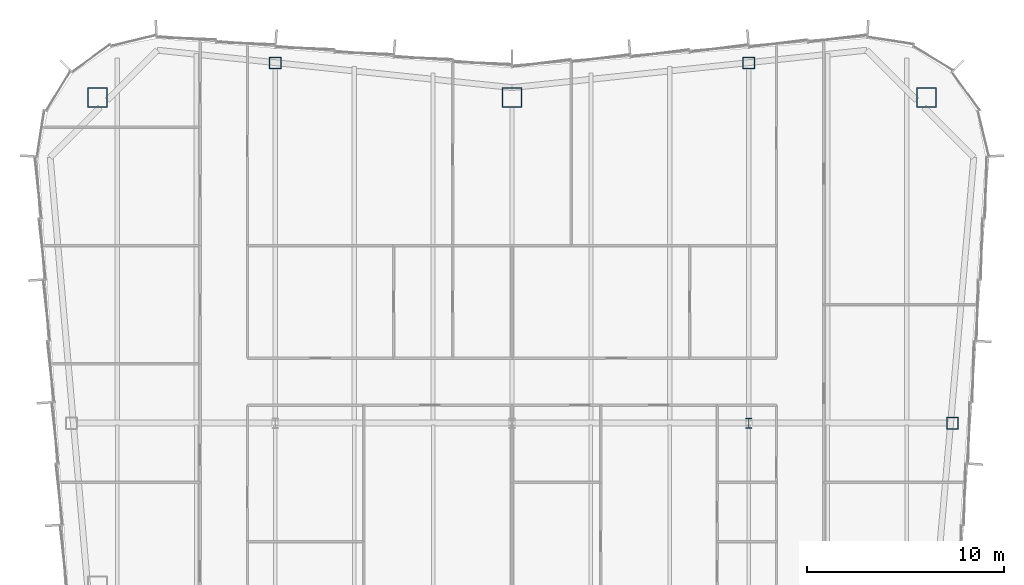
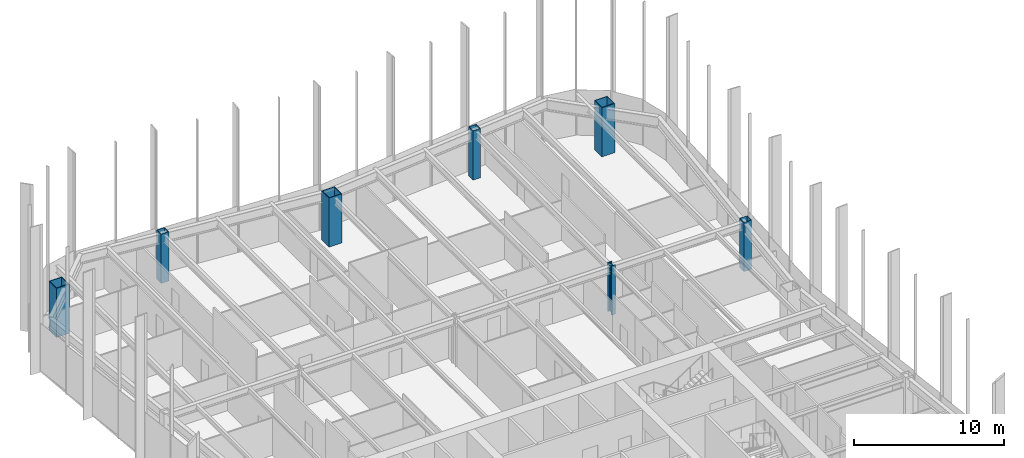
# One storey, part 2 of 15: 7 columns.
"""IFC4 building model written with IfcOpenShell, lengths in metres."""

from ifc_helpers import new_model, si_unit, direction, frame, origin, origin_2d, place, context, subcontext, project, spatial, hollow_rectangle, i_section, extrude, material, material_profile, profile_set, type_object, element, save


model = new_model("IFC4")

# Units and contexts
model_context = context("Model", 3, precision=1e-05, world=origin(), true_north=direction((0.0, 1.0)))
body_context = subcontext(model_context, "Body", "Model", "MODEL_VIEW")
ifc_project = project(units=[si_unit("LENGTHUNIT", "METRE"), si_unit("AREAUNIT", "SQUARE_METRE"), si_unit("VOLUMEUNIT", "CUBIC_METRE"), si_unit("PLANEANGLEUNIT", "RADIAN"), si_unit("MASSUNIT", "GRAM", prefix="KILO")], contexts=[model_context])

# Site, building, storey
site_placement = place(None, origin())
site = spatial("IfcSite", under=ifc_project, at=site_placement, CompositionType="ELEMENT")
building_placement = place(site_placement, origin())
building = spatial("IfcBuilding", under=site, at=building_placement, Name="Verdant Reach Tower", CompositionType="ELEMENT")
storey_placement = place(building_placement, frame((0.0, 0.0, 262.0)))
storey = spatial("IfcBuildingStorey", under=building, at=storey_placement, Name="L60", CompositionType="ELEMENT", Elevation=262.0)

# Columns
ifc_material = material(Name="Steel S460", Category="steel")
ifc_material_profile_1 = material_profile(ifc_material, i_section(OverallWidth=0.305908203125, OverallDepth=0.52392578125, WebThickness=0.012451171875, FlangeThickness=0.0400390625, FilletRadius=0.027099609375, at=origin_2d()), Name="HEM 500")
ifc_profile_set_1 = profile_set([ifc_material_profile_1], Name="Steel S460")
column_type_1 = type_object("IfcColumnType", Name="ST-COL-HEM500", PredefinedType="COLUMN", material=ifc_profile_set_1)
column_placement = place(storey_placement, frame((12.0, 49.5, 0.0), z_axis=(0.0, 0.0, 1.0), x_axis=(1.0, 0.0, 0.0)))
element("IfcColumn", 1, at=column_placement, inside=storey, type_object=column_type_1, Name="Interior column 3, L60", PredefinedType="COLUMN", context=body_context, shape_type="SweptSolid", body=[
    extrude(i_section(OverallWidth=0.305908203125, OverallDepth=0.52392578125, WebThickness=0.012451171875, FlangeThickness=0.0400390625, FilletRadius=0.027099609375, at=origin_2d()), origin(), (0.0, 0.0, 1.0), 4.0),
])
ifc_material_profile_2 = material_profile(ifc_material, hollow_rectangle(XDim=1.0, YDim=1.0, WallThickness=0.044921875, at=origin_2d()), Name="WB 1000x1000x45")
ifc_profile_set_2 = profile_set([ifc_material_profile_2], Name="Steel S460")
column_type_2 = type_object("IfcColumnType", Name="ST-COL-WB1000x1000x45", PredefinedType="COLUMN", material=ifc_profile_set_2)
for number, where, z_axis, x_axis, name in (
    (2, (-21.0, 66.0, 0.0), (0.0, 0.0, 1.0), (1.0, 0.0, 0.0), "Mega column north-west, L60"),
    (3, (0.0, 66.0, 0.0), (0.0, 0.0, 1.0), (1.0, 0.0, 0.0), "Mega column north, L60"),
    (4, (21.0, 66.0, 0.0), (0.0, 0.0, 1.0), (1.0, 0.0, 0.0), "Mega column north-east, L60"),
):
    element("IfcColumn", number, at=place(storey_placement, frame(where, z_axis=z_axis, x_axis=x_axis)), inside=storey, type_object=column_type_2, Name=name, PredefinedType="COLUMN", context=body_context, shape_type="SweptSolid", body=[
        extrude(hollow_rectangle(XDim=1.0, YDim=1.0, WallThickness=0.044921875, at=origin_2d()), origin(), (0.0, 0.0, 1.0), 4.0),
    ])
ifc_material_profile_3 = material_profile(ifc_material, hollow_rectangle(XDim=0.60009765625, YDim=0.60009765625, WallThickness=0.02490234375, at=origin_2d()), Name="WB 600x600x25")
ifc_profile_set_3 = profile_set([ifc_material_profile_3], Name="Steel S460")
column_type_3 = type_object("IfcColumnType", Name="ST-COL-WB600x600x25", PredefinedType="COLUMN", material=ifc_profile_set_3)
for number, where, z_axis, x_axis, name in (
    (5, (-12.0, 67.75, 0.0), (0.0, 0.0, 1.0), (1.0, 0.0, 0.0), "Perimeter column north 1, L60"),
    (6, (12.0, 67.75, 0.0), (0.0, 0.0, 1.0), (1.0, 0.0, 0.0), "Perimeter column north 2, L60"),
    (7, (22.319091796875, 49.5, 0.0), (0.0, 0.0, 1.0), (1.0, 0.0, 0.0), "Perimeter column east 2, L60"),
):
    element("IfcColumn", number, at=place(storey_placement, frame(where, z_axis=z_axis, x_axis=x_axis)), inside=storey, type_object=column_type_3, Name=name, PredefinedType="COLUMN", context=body_context, shape_type="SweptSolid", body=[
        extrude(hollow_rectangle(XDim=0.60009765625, YDim=0.60009765625, WallThickness=0.02490234375, at=origin_2d()), origin(), (0.0, 0.0, 1.0), 4.0),
    ])

save(model, "model.ifc")
